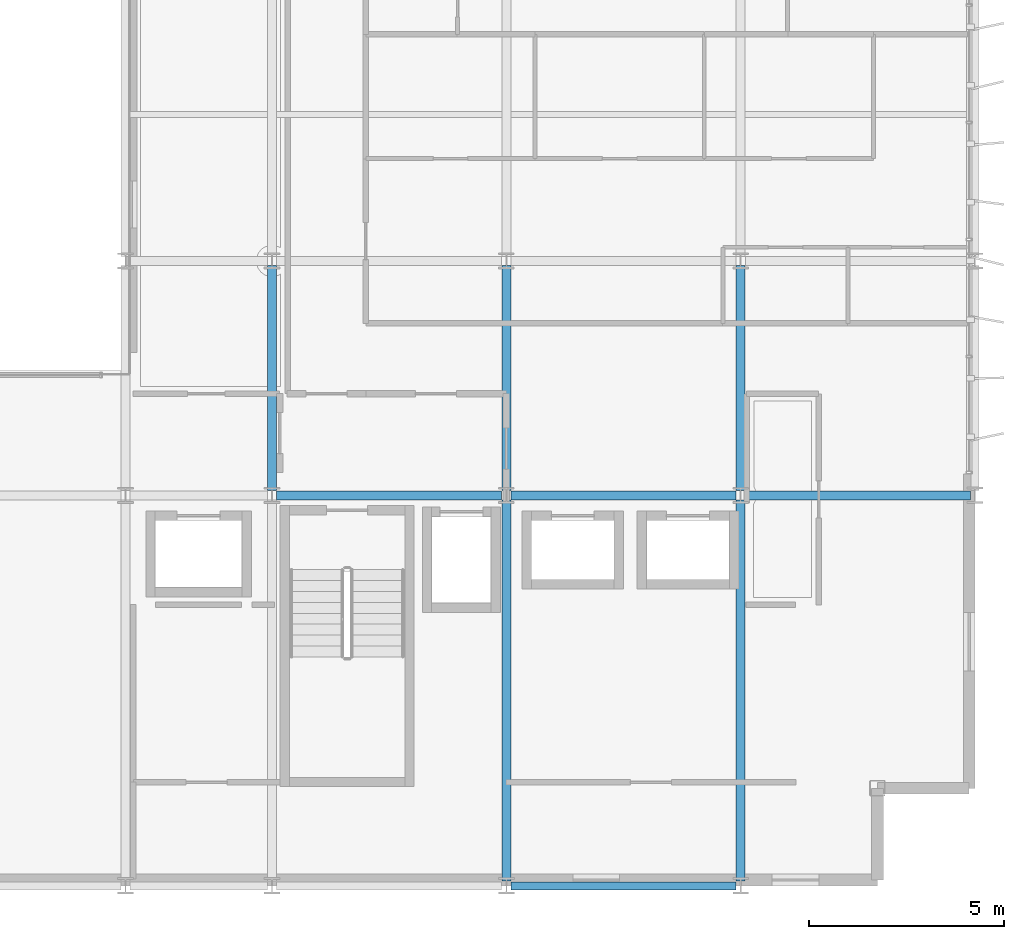
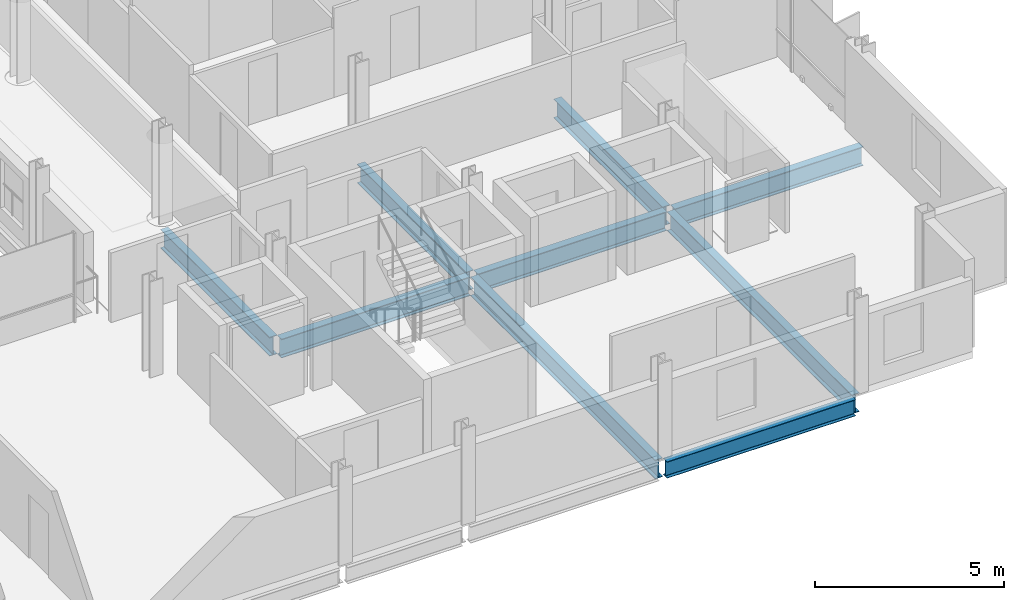
# One storey, part 16 of 38: 9 beams.
"""IFC4 building model written with IfcOpenShell, lengths in metres."""

from ifc_helpers import new_model, si_unit, direction, frame, origin, origin_2d, place, context, subcontext, project, spatial, i_section, extrude, material, material_profile, profile_set, type_object, element, save


model = new_model("IFC4")

# Units and contexts
model_context = context("Model", 3, precision=1e-05, world=origin(), true_north=direction((0.0, 1.0)))
body_context = subcontext(model_context, "Body", "Model", "MODEL_VIEW")
ifc_project = project(units=[si_unit("LENGTHUNIT", "METRE"), si_unit("AREAUNIT", "SQUARE_METRE"), si_unit("VOLUMEUNIT", "CUBIC_METRE"), si_unit("PLANEANGLEUNIT", "RADIAN"), si_unit("MASSUNIT", "GRAM", prefix="KILO")], contexts=[model_context])

# Site, building, storey
site_placement = place(None, origin())
site = spatial("IfcSite", under=ifc_project, at=site_placement, CompositionType="ELEMENT")
building_placement = place(site_placement, origin())
building = spatial("IfcBuilding", under=site, at=building_placement, Name="Brevholm Reach", CompositionType="ELEMENT")
storey_placement = place(building_placement, frame((0.0, 0.0, 166.60009765625)))
storey = spatial("IfcBuildingStorey", under=building, at=storey_placement, Name="L50", CompositionType="ELEMENT", Elevation=166.60009765625)

# Beams
ifc_material_1 = material(Name="Structural Steel S355J2", Category="steel")
ifc_material_profile_1 = material_profile(ifc_material_1, i_section(OverallWidth=0.209228515625, OverallDepth=0.533203125, WebThickness=0.010009765625, FlangeThickness=0.015625, FilletRadius=0.0126953125, at=origin_2d()), Name="UKB 533x210x92")
ifc_profile_set_1 = profile_set([ifc_material_profile_1], Name="Structural Steel S355J2")
beam_type_1 = type_object("IfcBeamType", Name="BM-SP533", PredefinedType="SPANDREL", material=ifc_profile_set_1)
beam_1_placement = place(storey_placement, frame((48.1201171875, 0.0, -0.486572265625), z_axis=(1.0, 0.0, 0.0), x_axis=(0.0, 1.0, 0.0)))
element("IfcBeam", 1, at=beam_1_placement, inside=storey, type_object=beam_type_1, Name="L50 SP-02 Framing Beam", PredefinedType="SPANDREL", context=body_context, shape_type="SweptSolid", body=[
    extrude(i_section(OverallWidth=0.209228515625, OverallDepth=0.533203125, WebThickness=0.010009765625, FlangeThickness=0.015625, FilletRadius=0.0126953125, at=origin_2d()), origin(), (0.0, 0.0, 1.0), 5.759765625),
])
ifc_material_2 = material(Name="Structural Steel S355J2", Category="steel")
ifc_material_profile_2 = material_profile(ifc_material_2, i_section(OverallWidth=0.22900390625, OverallDepth=0.6123046875, WebThickness=0.011962890625, FlangeThickness=0.01953125, FilletRadius=0.0126953125, at=origin_2d()), Name="UKB 610x229x125")
ifc_profile_set_2 = profile_set([ifc_material_profile_2], Name="Structural Steel S355J2")
beam_type_2 = type_object("IfcBeamType", Name="BM-SP610", PredefinedType="SPANDREL", material=ifc_profile_set_2)
for number, where, z_axis, x_axis, name in (
    (2, (42.1201171875, 10.0, -0.526123046875), (1.0, 0.0, 0.0), (0.0, 1.0, 0.0), "L50 SP-01 Framing Beam"),
    (3, (48.1201171875, 10.0, -0.526123046875), (1.0, 0.0, 0.0), (0.0, 1.0, 0.0), "L50 SP-01 Framing Beam"),
    (4, (54.1201171875, 10.0, -0.526123046875), (1.0, 0.0, 0.0), (0.0, 1.0, 0.0), "L50 SP-01 Framing Beam"),
    (5, (42.0, 10.1201171875, -0.526123046875), (0.0, 1.0, 0.0), (-1.0, 0.0, 0.0), "L50 SP-01 Framing Beam"),
):
    element("IfcBeam", number, at=place(storey_placement, frame(where, z_axis=z_axis, x_axis=x_axis)), inside=storey, type_object=beam_type_2, Name=name, PredefinedType="SPANDREL", context=body_context, shape_type="SweptSolid", body=[
        extrude(i_section(OverallWidth=0.22900390625, OverallDepth=0.6123046875, WebThickness=0.011962890625, FlangeThickness=0.01953125, FilletRadius=0.0126953125, at=origin_2d()), origin(), (0.0, 0.0, 1.0), 5.759765625),
    ])
beam_2_placement = place(storey_placement, frame((48.0, 0.1201171875, -0.526123046875), z_axis=(0.0, 1.0, 0.0), x_axis=(-1.0, 0.0, 0.0)))
element("IfcBeam", 6, at=beam_2_placement, inside=storey, type_object=beam_type_2, Name="L50 SP-01 Framing Beam", PredefinedType="SPANDREL", context=body_context, shape_type="SweptSolid", body=[
    extrude(i_section(OverallWidth=0.22900390625, OverallDepth=0.6123046875, WebThickness=0.011962890625, FlangeThickness=0.01953125, FilletRadius=0.0126953125, at=origin_2d()), origin(), (0.0, 0.0, 1.0), 9.759765625),
])
beam_3_placement = place(storey_placement, frame((48.0, 10.1201171875, -0.526123046875), z_axis=(0.0, 1.0, 0.0), x_axis=(-1.0, 0.0, 0.0)))
element("IfcBeam", 7, at=beam_3_placement, inside=storey, type_object=beam_type_2, Name="L50 SP-01 Framing Beam", PredefinedType="SPANDREL", context=body_context, shape_type="SweptSolid", body=[
    extrude(i_section(OverallWidth=0.22900390625, OverallDepth=0.6123046875, WebThickness=0.011962890625, FlangeThickness=0.01953125, FilletRadius=0.0126953125, at=origin_2d()), origin(), (0.0, 0.0, 1.0), 5.759765625),
])
beam_4_placement = place(storey_placement, frame((54.0, 0.1201171875, -0.526123046875), z_axis=(0.0, 1.0, 0.0), x_axis=(-1.0, 0.0, 0.0)))
element("IfcBeam", 8, at=beam_4_placement, inside=storey, type_object=beam_type_2, Name="L50 SP-01 Framing Beam", PredefinedType="SPANDREL", context=body_context, shape_type="SweptSolid", body=[
    extrude(i_section(OverallWidth=0.22900390625, OverallDepth=0.6123046875, WebThickness=0.011962890625, FlangeThickness=0.01953125, FilletRadius=0.0126953125, at=origin_2d()), origin(), (0.0, 0.0, 1.0), 9.759765625),
])
beam_5_placement = place(storey_placement, frame((54.0, 10.1201171875, -0.526123046875), z_axis=(0.0, 1.0, 0.0), x_axis=(-1.0, 0.0, 0.0)))
element("IfcBeam", 9, at=beam_5_placement, inside=storey, type_object=beam_type_2, Name="L50 SP-01 Framing Beam", PredefinedType="SPANDREL", context=body_context, shape_type="SweptSolid", body=[
    extrude(i_section(OverallWidth=0.22900390625, OverallDepth=0.6123046875, WebThickness=0.011962890625, FlangeThickness=0.01953125, FilletRadius=0.0126953125, at=origin_2d()), origin(), (0.0, 0.0, 1.0), 5.759765625),
])

save(model, "model.ifc")
